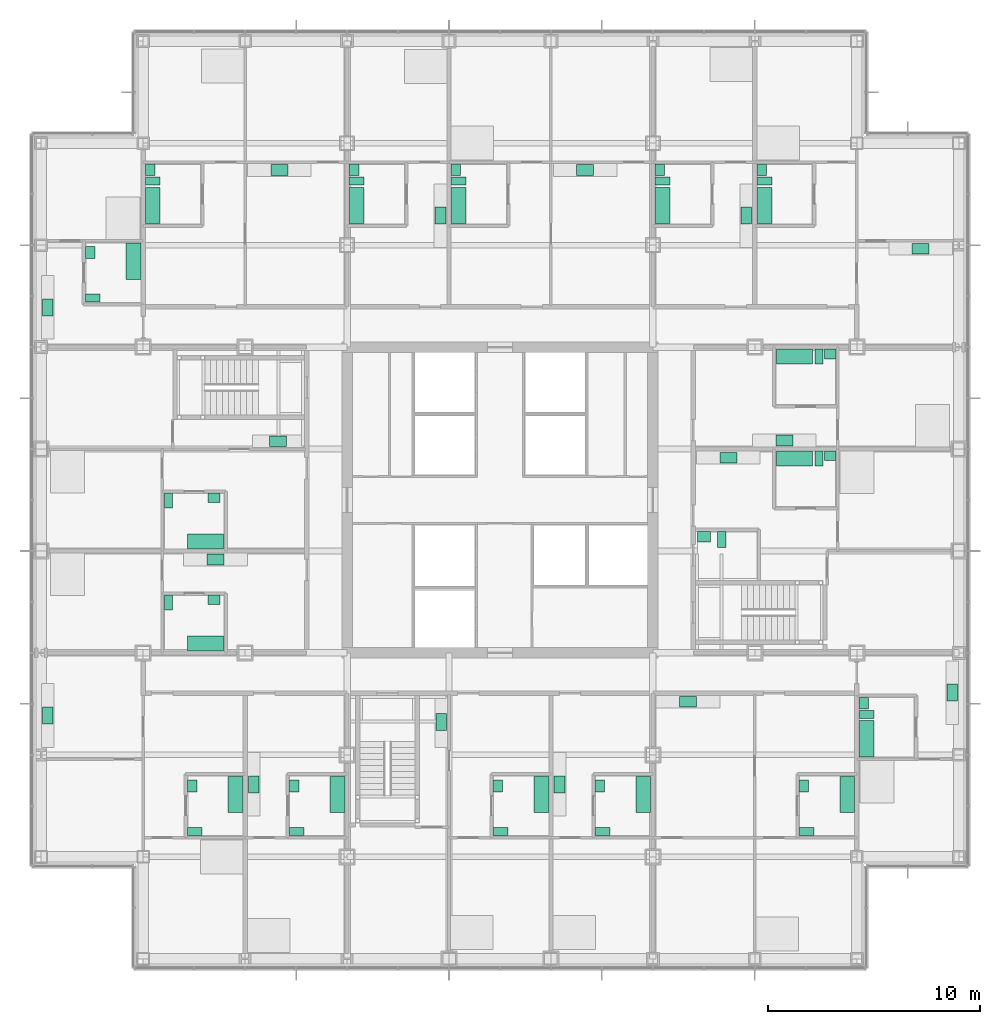
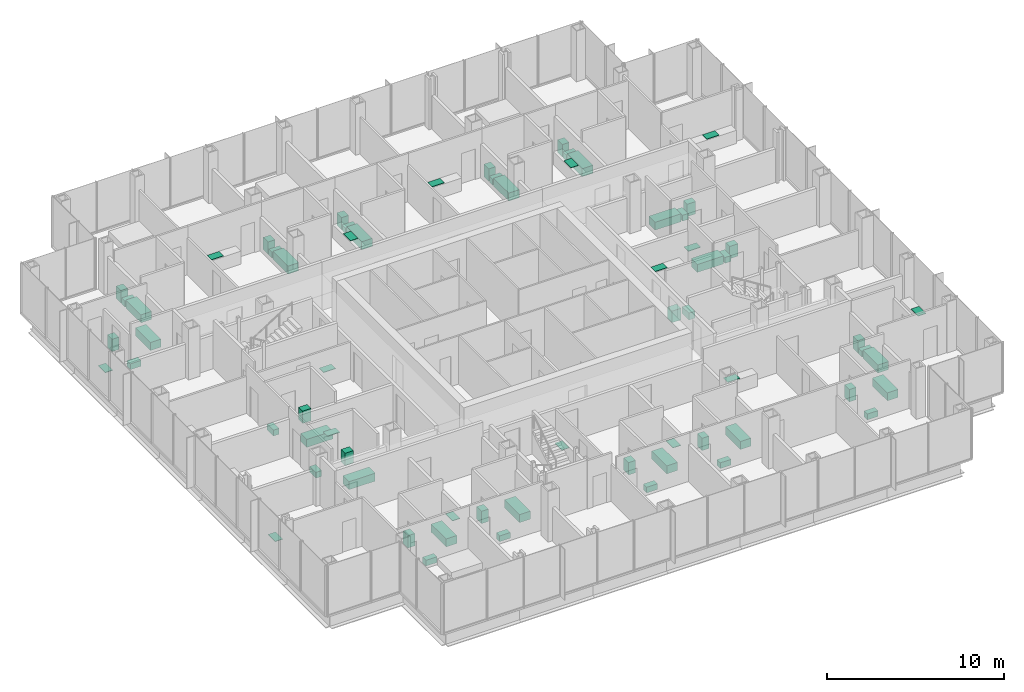
# One storey, part 20 of 21: 66 sanitary terminals.
"""IFC4 building model written with IfcOpenShell, lengths in metres."""

import ifcopenshell
import ifcopenshell.guid

model = None  # the IFC model being written
_history = None  # IfcOwnerHistory: only IFC2X3 demands one
_inside = {}  # id of a spatial element -> (the spatial element, [elements in it])
_under = {}  # id of a project, library or spatial element -> (it, [spatial elements below it])
_declared = {}  # id of a project -> (the project, [libraries it declares])
_typed = {}  # id of a type object -> (the type object, [elements of that type])
_made_of = {}  # id of a material, layer set ... -> (it, [elements and type objects made of it])


def new_model(schema):
    """Start an empty IFC model of exactly this schema.

    Asked for "IFC4X3", IfcOpenShell would pick the latest addendum, in which some entities
    have other attributes; the version numbers below select the first issue.
    IFC2X3 requires an IfcOwnerHistory on every rooted entity: one is made here for all.
    """
    global model, _history
    if schema == "IFC4X3":
        model = ifcopenshell.file(schema_version=(4, 3, 0, 0))
    else:
        model = ifcopenshell.file(schema=schema)
    _inside.clear()
    _under.clear()
    _declared.clear()
    _typed.clear()
    _made_of.clear()
    _history = None
    if model.schema == "IFC2X3":
        org = make("IfcOrganization", Name="unknown")
        user = make(
            "IfcPersonAndOrganization",
            ThePerson=make("IfcPerson", FamilyName="unknown"),
            TheOrganization=org,
        )
        app = make(
            "IfcApplication",
            ApplicationDeveloper=org,
            Version="unknown",
            ApplicationFullName="unknown",
            ApplicationIdentifier="unknown",
        )
        _history = make(
            "IfcOwnerHistory",
            OwningUser=user,
            OwningApplication=app,
            ChangeAction="ADDED",
            CreationDate=0,
        )
    return model


def make(cls, **values):
    """One entity of the class cls with the attributes given. An attribute that is None is left unset."""
    return model.create_entity(
        cls, **{name: value for name, value in values.items() if value is not None}
    )


def rooted(cls, **values):
    """An entity with a GlobalId (a new one), such as an element, a storey or a relation."""
    return make(cls, GlobalId=ifcopenshell.guid.new(), OwnerHistory=_history, **values)


def si_unit(unit_type, name, prefix=None):
    """IfcSIUnit, for example si_unit("LENGTHUNIT", "METRE", prefix="MILLI")."""
    return make("IfcSIUnit", UnitType=unit_type, Prefix=prefix, Name=name)


def assignment(units):
    """IfcUnitAssignment: the units of a project."""
    return None if units is None else make("IfcUnitAssignment", Units=units)


def point(xyz):
    """IfcCartesianPoint."""
    return None if xyz is None else make("IfcCartesianPoint", Coordinates=xyz)


def direction(xyz):
    """IfcDirection."""
    return None if xyz is None else make("IfcDirection", DirectionRatios=xyz)


def frame(location, z_axis=None, x_axis=None):
    """IfcAxis2Placement3D, a coordinate frame: its origin and axes. An axis left out is left unset."""
    return make(
        "IfcAxis2Placement3D",
        Location=point(location),
        Axis=direction(z_axis),
        RefDirection=direction(x_axis),
    )


def frame_2d(location, x_axis=None):
    """IfcAxis2Placement2D, a coordinate frame in the plane: its origin and x axis."""
    return make(
        "IfcAxis2Placement2D", Location=point(location), RefDirection=direction(x_axis)
    )


def origin():
    """The frame at (0, 0, 0) with its axes left unset."""
    return frame((0.0, 0.0, 0.0))


def origin_2d():
    """The frame at (0, 0) in the plane with its x axis left unset."""
    return frame_2d((0.0, 0.0))


def place(relative_to, where):
    """IfcLocalPlacement: puts the frame where relative to a parent placement (None: the world)."""
    return make(
        "IfcLocalPlacement", PlacementRelTo=relative_to, RelativePlacement=where
    )


def context(
    kind, dimensions, precision=None, world=None, true_north=None, identifier=None
):
    """IfcGeometricRepresentationContext, for example the 3D "Model" context."""
    return make(
        "IfcGeometricRepresentationContext",
        ContextIdentifier=identifier,
        ContextType=kind,
        CoordinateSpaceDimension=dimensions,
        Precision=precision,
        WorldCoordinateSystem=world,
        TrueNorth=true_north,
    )


def subcontext(parent, identifier, kind, view, scale=None):
    """IfcGeometricRepresentationSubContext, for example "Body" below "Model"."""
    return make(
        "IfcGeometricRepresentationSubContext",
        ContextIdentifier=identifier,
        ContextType=kind,
        ParentContext=parent,
        TargetScale=scale,
        TargetView=view,
    )


def project(units=None, contexts=None):
    """IfcProject with its units and contexts."""
    return rooted(
        "IfcProject",
        Name="project",
        RepresentationContexts=contexts,
        UnitsInContext=assignment(units),
    )


def spatial(cls, under=None, at=None, **own):
    """A site, building, storey or space (cls), placed at a placement, below another one or the project."""
    s = rooted(cls, ObjectPlacement=at, **own)
    if under is not None:
        _under.setdefault(under.id(), (under, []))[1].append(s)
    return s


def profile(cls, at=None, kind="AREA", **sizes):
    """A parametric profile (cls). Its sizes go by their IFC names, for example OverallWidth=200.0."""
    return make(cls, ProfileType=kind, Position=at, **sizes)


def rectangle(**sizes):
    """IfcRectangleProfileDef."""
    return profile("IfcRectangleProfileDef", **sizes)


def extrude(swept, where, along, depth):
    """IfcExtrudedAreaSolid: the profile swept, set in the frame where, extruded along a direction by depth."""
    return make(
        "IfcExtrudedAreaSolid",
        SweptArea=swept,
        Position=where,
        ExtrudedDirection=direction(along),
        Depth=depth,
    )


def shape(context_of_items, identifier, shape_type, items):
    """IfcShapeRepresentation: the items that make up one representation, for example the "Body"."""
    return make(
        "IfcShapeRepresentation",
        ContextOfItems=context_of_items,
        RepresentationIdentifier=identifier,
        RepresentationType=shape_type,
        Items=items,
    )


def material(Name=None, Category=None):
    """IfcMaterial."""
    return make("IfcMaterial", Name=Name, Category=Category)


def made_of(thing, what):
    """Note that an element or type object is made of a material, layer set ...; save() writes the relation."""
    if what is not None:
        _made_of.setdefault(what.id(), (what, []))[1].append(thing)
    return thing


def type_object(cls, material=None, **own):
    """A type object (cls), such as IfcWallType, which elements share."""
    return made_of(rooted(cls, **own), material)


def element(
    cls,
    number,
    at=None,
    inside=None,
    cuts=None,
    type_object=None,
    material=None,
    context=None,
    identifier="Body",
    shape_type=None,
    held_by="IfcProductDefinitionShape",
    body=None,
    shapes=None,
    **own,
):
    """One element of the class cls, such as IfcWall. Its Tag is "e" and its number.

    at: its placement. inside: the storey or other place that contains it. cuts: it is an
    opening in that element (IfcRelVoidsElement). A single representation is given by context,
    identifier, shape_type and body (its items); several are given by shapes. held_by: the class
    of the entity that holds the representations. save() writes the other relations.
    """
    e = rooted(cls, Tag="e%d" % number, ObjectPlacement=at, **own)
    if body is not None:
        shapes = [shape(context, identifier, shape_type, body)]
    if shapes is not None:
        e.Representation = make(held_by, Representations=shapes)
    if inside is not None:
        _inside.setdefault(inside.id(), (inside, []))[1].append(e)
    if cuts is not None:
        rooted(
            "IfcRelVoidsElement", RelatingBuildingElement=cuts, RelatedOpeningElement=e
        )
    if type_object is not None:
        _typed.setdefault(type_object.id(), (type_object, []))[1].append(e)
    return made_of(e, material)


def aggregate(whole, parts):
    """IfcRelAggregates: a whole, such as a stair, and the parts it consists of."""
    return rooted("IfcRelAggregates", RelatingObject=whole, RelatedObjects=parts)


def save(model, path):
    """Write the relations noted so far, then the file.

    IfcRelAggregates (storeys below a building ...), IfcRelContainedInSpatialStructure (elements
    in a storey), IfcRelDefinesByType, IfcRelAssociatesMaterial and IfcRelDeclares: one each for
    every whole, place, type object, material and project.
    """
    for whole, parts in _under.values():
        aggregate(whole, parts)
    for where, things in _inside.values():
        rooted(
            "IfcRelContainedInSpatialStructure",
            RelatedElements=things,
            RelatingStructure=where,
        )
    for kind, things in _typed.values():
        rooted("IfcRelDefinesByType", RelatedObjects=things, RelatingType=kind)
    for what, things in _made_of.values():
        rooted("IfcRelAssociatesMaterial", RelatedObjects=things, RelatingMaterial=what)
    for by, libraries in _declared.values():
        rooted("IfcRelDeclares", RelatingContext=by, RelatedDefinitions=libraries)
    model.write(path)


model = new_model("IFC4")

# Units and contexts
model_context = context("Model", 3, precision=1e-05, world=origin(), true_north=direction((0.0, 1.0)))
body_context = subcontext(model_context, "Body", "Model", "MODEL_VIEW")
ifc_project = project(units=[si_unit("LENGTHUNIT", "METRE"), si_unit("AREAUNIT", "SQUARE_METRE"), si_unit("VOLUMEUNIT", "CUBIC_METRE"), si_unit("PLANEANGLEUNIT", "RADIAN"), si_unit("MASSUNIT", "GRAM", prefix="KILO")], contexts=[model_context])

# Site, building, storey
site_placement = place(None, origin())
site = spatial("IfcSite", under=ifc_project, at=site_placement, CompositionType="ELEMENT")
building_placement = place(site_placement, origin())
building = spatial("IfcBuilding", under=site, at=building_placement, Name="Kvirike Care Tower", CompositionType="ELEMENT")
storey_placement = place(building_placement, frame((0.0, 0.0, 30.5)))
storey = spatial("IfcBuildingStorey", under=building, at=storey_placement, Name="L07", CompositionType="ELEMENT", Elevation=30.5)

# Sanitary terminals
ifc_material_1 = material(Name="Vitreous china", Category="ceramic")
sanitary_terminal_type_1 = type_object("IfcSanitaryTerminalType", Name="ACCESSIBLE WASH BASIN 600 x 500", PredefinedType="WASHHANDBASIN", material=ifc_material_1)
sanitary_terminal_1_placement = place(storey_placement, frame((31.199951171875, 34.27294921875, 0.02001953125), z_axis=(0.0, 0.0, 1.0), x_axis=(1.0, 0.0, 0.0)))
element("IfcSanitaryTerminal", 1, at=sanitary_terminal_1_placement, inside=storey, type_object=sanitary_terminal_type_1, Name="Accessible wash basin L07-061", PredefinedType="WASHHANDBASIN", context=body_context, shape_type="SweptSolid", body=[
    extrude(rectangle(XDim=0.60009765625, YDim=0.5, at=origin_2d()), origin(), (0.0, 0.0, 1.0), 0.800048828125),
])
ifc_material_2 = material(Name="Vitreous china", Category="ceramic")
sanitary_terminal_type_2 = type_object("IfcSanitaryTerminalType", Name="ACCESSIBLE WC PAN 400 x 750", PredefinedType="TOILETPAN", material=ifc_material_2)
sanitary_terminal_2_placement = place(storey_placement, frame((32.050048828125, 34.14794921875, 0.02001953125), z_axis=(0.0, 0.0, 1.0), x_axis=(1.0, 0.0, 0.0)))
element("IfcSanitaryTerminal", 2, at=sanitary_terminal_2_placement, inside=storey, type_object=sanitary_terminal_type_2, Name="Accessible WC pan L07-061", PredefinedType="TOILETPAN", context=body_context, shape_type="SweptSolid", body=[
    extrude(rectangle(XDim=0.39990234375, YDim=0.75, at=origin_2d()), origin(), (0.0, 0.0, 1.0), 0.47998046875),
])
ifc_material_3 = material(Name="Enamelled steel", Category="steel")
sanitary_terminal_type_3 = type_object("IfcSanitaryTerminalType", Name="BATH 1700 x 700", PredefinedType="BATH", material=ifc_material_3)
for number, where, z_axis, x_axis, name in (
    (3, (9.14794921875, 22.125, 0.02001953125), (0.0, 0.0, 1.0), (0.0, -1.0, 0.0), "Bath L07-004"),
    (4, (13.947998046875, 22.125, 0.02001953125), (0.0, 0.0, 1.0), (0.0, -1.0, 0.0), "Bath L07-008"),
    (5, (7.72509765625, 34.052001953125, 0.02001953125), (0.0, 0.0, 1.0), (-1.0, 0.0, 0.0), "Bath L07-014"),
    (6, (7.72509765625, 29.251953125, 0.02001953125), (0.0, 0.0, 1.0), (-1.0, 0.0, 0.0), "Bath L07-018"),
    (7, (5.251953125, 49.875, 0.02001953125), (0.0, 0.0, 1.0), (0.0, 1.0, 0.0), "Bath L07-023"),
    (8, (4.347900390625, 47.239990234375, 0.02001953125), (0.0, 0.0, 1.0), (0.0, -1.0, 0.0), "Bath L07-027"),
    (9, (23.548095703125, 22.125, 0.02001953125), (0.0, 0.0, 1.0), (0.0, -1.0, 0.0), "Bath L07-033"),
    (10, (28.347900390625, 22.125, 0.02001953125), (0.0, 0.0, 1.0), (0.0, -1.0, 0.0), "Bath L07-037"),
    (11, (19.652099609375, 49.875, 0.02001953125), (0.0, 0.0, 1.0), (0.0, 1.0, 0.0), "Bath L07-042"),
    (12, (14.85205078125, 49.875, 0.02001953125), (0.0, 0.0, 1.0), (0.0, 1.0, 0.0), "Bath L07-046"),
    (13, (37.947998046875, 22.125, 0.02001953125), (0.0, 0.0, 1.0), (0.0, -1.0, 0.0), "Bath L07-051"),
    (14, (38.85205078125, 24.760009765625, 0.02001953125), (0.0, 0.0, 1.0), (0.0, 1.0, 0.0), "Bath L07-055"),
    (15, (35.47509765625, 37.947998046875, 0.02001953125), (0.0, 0.0, 1.0), (1.0, 0.0, 0.0), "Bath L07-062"),
    (16, (35.47509765625, 42.748046875, 0.02001953125), (0.0, 0.0, 1.0), (1.0, 0.0, 0.0), "Bath L07-065"),
    (17, (34.052001953125, 49.875, 0.02001953125), (0.0, 0.0, 1.0), (0.0, 1.0, 0.0), "Bath L07-070"),
    (18, (29.251953125, 49.875, 0.02001953125), (0.0, 0.0, 1.0), (0.0, 1.0, 0.0), "Bath L07-074"),
):
    element("IfcSanitaryTerminal", number, at=place(storey_placement, frame(where, z_axis=z_axis, x_axis=x_axis)), inside=storey, type_object=sanitary_terminal_type_3, Name=name, PredefinedType="BATH", context=body_context, shape_type="SweptSolid", body=[
        extrude(rectangle(XDim=1.699951171875, YDim=0.699951171875, at=origin_2d()), origin(), (0.0, 0.0, 1.0), 0.550048828125),
    ])
ifc_material_4 = material(Name="Stainless steel", Category="steel")
sanitary_terminal_type_4 = type_object("IfcSanitaryTerminalType", Name="KITCHEN SINK 800 x 500", PredefinedType="SINK", material=ifc_material_4)
for number, where, z_axis, x_axis, name in (
    (19, (0.302001953125, 25.8544921875, 0.89990234375), (0.0, 0.0, 1.0), (0.0, 1.0, 0.0), "Kitchen sink L07-005"),
    (20, (10.001953125, 22.610107421875, 0.89990234375), (0.0, 0.0, 1.0), (0.0, 1.0, 0.0), "Kitchen sink L07-009"),
    (21, (11.14990234375, 38.761962890625, 0.89990234375), (0.0, 0.0, 1.0), (-1.0, 0.0, 0.0), "Kitchen sink L07-015"),
    (22, (8.2099609375, 33.197998046875, 0.89990234375), (0.0, 0.0, 1.0), (1.0, 0.0, 0.0), "Kitchen sink L07-019"),
    (23, (11.2099609375, 51.5380859375, 0.89990234375), (0.0, 0.0, 1.0), (1.0, 0.0, 0.0), "Kitchen sink L07-024"),
    (24, (0.302001953125, 45.070068359375, 0.89990234375), (0.0, 0.0, 1.0), (0.0, 1.0, 0.0), "Kitchen sink L07-028"),
    (25, (18.837890625, 25.550048828125, 0.89990234375), (0.0, 0.0, 1.0), (0.0, -1.0, 0.0), "Kitchen sink L07-034"),
    (26, (24.402099609375, 22.610107421875, 0.89990234375), (0.0, 0.0, 1.0), (0.0, 1.0, 0.0), "Kitchen sink L07-038"),
    (27, (25.610107421875, 51.5380859375, 0.89990234375), (0.0, 0.0, 1.0), (1.0, 0.0, 0.0), "Kitchen sink L07-043"),
    (28, (18.798095703125, 49.389892578125, 0.89990234375), (0.0, 0.0, 1.0), (0.0, -1.0, 0.0), "Kitchen sink L07-047"),
    (29, (30.449951171875, 26.498046875, 0.89990234375), (0.0, 0.0, 1.0), (1.0, 0.0, 0.0), "Kitchen sink L07-052"),
    (30, (42.89794921875, 26.929931640625, 0.89990234375), (0.0, 0.0, 1.0), (0.0, -1.0, 0.0), "Kitchen sink L07-056"),
    (31, (32.35009765625, 37.998046875, 0.89990234375), (0.0, 0.0, 1.0), (1.0, 0.0, 0.0), "Kitchen sink L07-063"),
    (32, (34.989990234375, 38.802001953125, 0.89990234375), (0.0, 0.0, 1.0), (-1.0, 0.0, 0.0), "Kitchen sink L07-066"),
    (33, (41.409912109375, 47.837890625, 0.89990234375), (0.0, 0.0, 1.0), (1.0, 0.0, 0.0), "Kitchen sink L07-071"),
    (34, (33.197998046875, 49.389892578125, 0.89990234375), (0.0, 0.0, 1.0), (0.0, -1.0, 0.0), "Kitchen sink L07-075"),
):
    element("IfcSanitaryTerminal", number, at=place(storey_placement, frame(where, z_axis=z_axis, x_axis=x_axis)), inside=storey, type_object=sanitary_terminal_type_4, Name=name, PredefinedType="SINK", context=body_context, shape_type="SweptSolid", body=[
        extrude(rectangle(XDim=0.800048828125, YDim=0.5, at=origin_2d()), origin(), (0.0, 0.0, 1.0), 0.030029296875),
    ])
ifc_material_5 = material(Name="Vitreous china", Category="ceramic")
sanitary_terminal_type_5 = type_object("IfcSanitaryTerminalType", Name="WASH BASIN 550 x 450", PredefinedType="WASHHANDBASIN", material=ifc_material_5)
for number, where, z_axis, x_axis, name in (
    (35, (7.10205078125, 22.534912109375, 0.02001953125), (0.0, 0.0, 1.0), (0.0, 1.0, 0.0), "Wash basin L07-004"),
    (36, (11.902099609375, 22.534912109375, 0.02001953125), (0.0, 0.0, 1.0), (0.0, 1.0, 0.0), "Wash basin L07-008"),
    (37, (8.135009765625, 36.097900390625, 0.02001953125), (0.0, 0.0, 1.0), (1.0, 0.0, 0.0), "Wash basin L07-014"),
    (38, (8.135009765625, 31.298095703125, 0.02001953125), (0.0, 0.0, 1.0), (1.0, 0.0, 0.0), "Wash basin L07-018"),
    (39, (5.126953125, 51.550048828125, 0.02001953125), (0.0, 0.0, 1.0), (0.0, 1.0, 0.0), "Wash basin L07-023"),
    (40, (2.302001953125, 47.64990234375, 0.02001953125), (0.0, 0.0, 1.0), (0.0, 1.0, 0.0), "Wash basin L07-027"),
    (41, (21.501953125, 22.534912109375, 0.02001953125), (0.0, 0.0, 1.0), (0.0, 1.0, 0.0), "Wash basin L07-033"),
    (42, (26.302001953125, 22.534912109375, 0.02001953125), (0.0, 0.0, 1.0), (0.0, 1.0, 0.0), "Wash basin L07-037"),
    (43, (19.527099609375, 51.550048828125, 0.02001953125), (0.0, 0.0, 1.0), (0.0, 1.0, 0.0), "Wash basin L07-042"),
    (44, (14.72705078125, 51.550048828125, 0.02001953125), (0.0, 0.0, 1.0), (0.0, 1.0, 0.0), "Wash basin L07-046"),
    (45, (35.902099609375, 22.534912109375, 0.02001953125), (0.0, 0.0, 1.0), (0.0, 1.0, 0.0), "Wash basin L07-051"),
    (46, (38.72705078125, 26.43505859375, 0.02001953125), (0.0, 0.0, 1.0), (0.0, 1.0, 0.0), "Wash basin L07-055"),
    (47, (37.14990234375, 38.072998046875, 0.02001953125), (0.0, 0.0, 1.0), (1.0, 0.0, 0.0), "Wash basin L07-062"),
    (48, (37.14990234375, 42.873046875, 0.02001953125), (0.0, 0.0, 1.0), (1.0, 0.0, 0.0), "Wash basin L07-065"),
    (49, (33.927001953125, 51.550048828125, 0.02001953125), (0.0, 0.0, 1.0), (0.0, 1.0, 0.0), "Wash basin L07-070"),
    (50, (29.126953125, 51.550048828125, 0.02001953125), (0.0, 0.0, 1.0), (0.0, 1.0, 0.0), "Wash basin L07-074"),
):
    element("IfcSanitaryTerminal", number, at=place(storey_placement, frame(where, z_axis=z_axis, x_axis=x_axis)), inside=storey, type_object=sanitary_terminal_type_5, Name=name, PredefinedType="WASHHANDBASIN", context=body_context, shape_type="SweptSolid", body=[
        extrude(rectangle(XDim=0.550048828125, YDim=0.449951171875, at=origin_2d()), origin(), (0.0, 0.0, 1.0), 0.85009765625),
    ])
ifc_material_6 = material(Name="Vitreous china", Category="ceramic")
sanitary_terminal_type_6 = type_object("IfcSanitaryTerminalType", Name="WC PAN 380 x 700", PredefinedType="TOILETPAN", material=ifc_material_6)
for number, where, z_axis, x_axis, name in (
    (51, (7.22705078125, 20.39990234375, 0.02001953125), (0.0, 0.0, 1.0), (0.0, 1.0, 0.0), "WC pan L07-004"),
    (52, (12.027099609375, 20.39990234375, 0.02001953125), (0.0, 0.0, 1.0), (0.0, 1.0, 0.0), "WC pan L07-008"),
    (53, (6.0, 35.972900390625, 0.02001953125), (0.0, 0.0, 1.0), (1.0, 0.0, 0.0), "WC pan L07-014"),
    (54, (6.0, 31.173095703125, 0.02001953125), (0.0, 0.0, 1.0), (1.0, 0.0, 0.0), "WC pan L07-018"),
    (55, (5.251953125, 51.014892578125, 0.02001953125), (0.0, 0.0, 1.0), (0.0, 1.0, 0.0), "WC pan L07-023"),
    (56, (2.427001953125, 45.514892578125, 0.02001953125), (0.0, 0.0, 1.0), (0.0, 1.0, 0.0), "WC pan L07-027"),
    (57, (21.626953125, 20.39990234375, 0.02001953125), (0.0, 0.0, 1.0), (0.0, 1.0, 0.0), "WC pan L07-033"),
    (58, (26.427001953125, 20.39990234375, 0.02001953125), (0.0, 0.0, 1.0), (0.0, 1.0, 0.0), "WC pan L07-037"),
    (59, (19.652099609375, 51.014892578125, 0.02001953125), (0.0, 0.0, 1.0), (0.0, 1.0, 0.0), "WC pan L07-042"),
    (60, (14.85205078125, 51.014892578125, 0.02001953125), (0.0, 0.0, 1.0), (0.0, 1.0, 0.0), "WC pan L07-046"),
    (61, (36.027099609375, 20.39990234375, 0.02001953125), (0.0, 0.0, 1.0), (0.0, 1.0, 0.0), "WC pan L07-051"),
    (62, (38.85205078125, 25.89990234375, 0.02001953125), (0.0, 0.0, 1.0), (0.0, 1.0, 0.0), "WC pan L07-055"),
    (63, (36.614990234375, 37.947998046875, 0.02001953125), (0.0, 0.0, 1.0), (1.0, 0.0, 0.0), "WC pan L07-062"),
    (64, (36.614990234375, 42.748046875, 0.02001953125), (0.0, 0.0, 1.0), (1.0, 0.0, 0.0), "WC pan L07-065"),
    (65, (34.052001953125, 51.014892578125, 0.02001953125), (0.0, 0.0, 1.0), (0.0, 1.0, 0.0), "WC pan L07-070"),
    (66, (29.251953125, 51.014892578125, 0.02001953125), (0.0, 0.0, 1.0), (0.0, 1.0, 0.0), "WC pan L07-074"),
):
    element("IfcSanitaryTerminal", number, at=place(storey_placement, frame(where, z_axis=z_axis, x_axis=x_axis)), inside=storey, type_object=sanitary_terminal_type_6, Name=name, PredefinedType="TOILETPAN", context=body_context, shape_type="SweptSolid", body=[
        extrude(rectangle(XDim=0.3798828125, YDim=0.699951171875, at=origin_2d()), origin(), (0.0, 0.0, 1.0), 0.39990234375),
    ])

save(model, "model.ifc")
